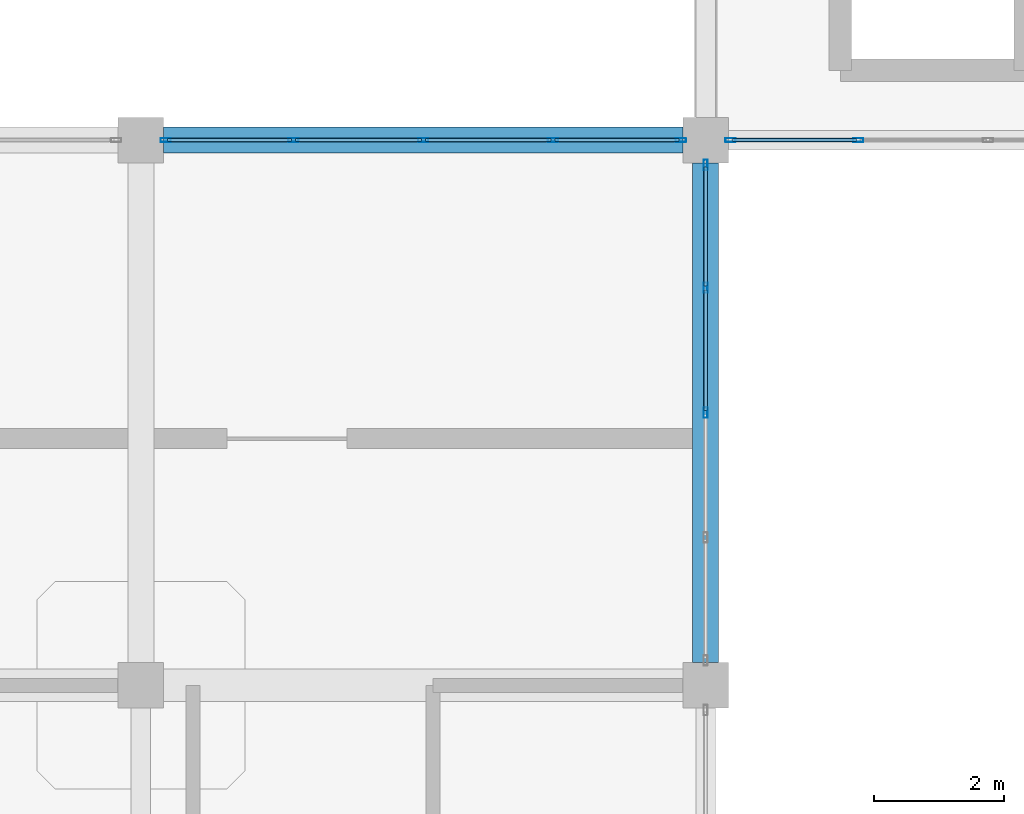
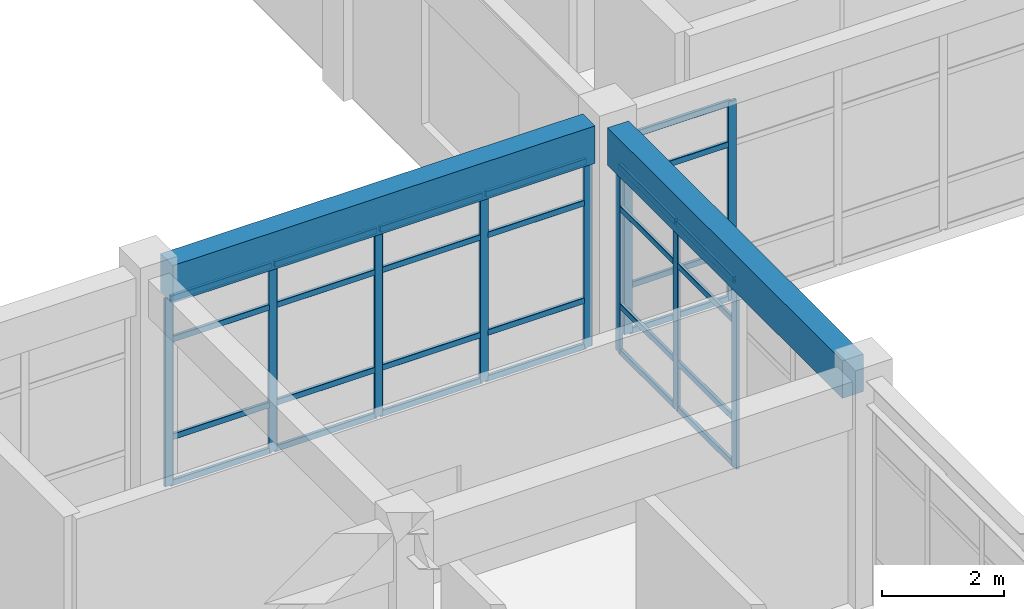
# One storey, part 39 of 64: 38 members, 2 beams, 3 elements without a shape of their own.
"""IFC4 building model written with IfcOpenShell, lengths in metres."""

from ifc_helpers import new_model, si_unit, derived_unit, direction, frame, origin, origin_2d, place, context, subcontext, project, spatial, rectangle, hollow_rectangle, extrude, material, layer, layer_set, material_profile, profile_set, type_object, element, aggregate, save


model = new_model("IFC4")

# Units and contexts
model_context = context("Model", 3, precision=1e-05, world=origin(), true_north=direction((0.0, 1.0)))
body_context = subcontext(model_context, "Body", "Model", "MODEL_VIEW")
ifc_project = project(units=[si_unit("LENGTHUNIT", "METRE"), si_unit("AREAUNIT", "SQUARE_METRE"), si_unit("VOLUMEUNIT", "CUBIC_METRE"), si_unit("PLANEANGLEUNIT", "RADIAN"), si_unit("MASSUNIT", "GRAM", prefix="KILO"), derived_unit("THERMALTRANSMITTANCEUNIT", [(si_unit("MASSUNIT", "GRAM", prefix="KILO"), 1), (si_unit("TIMEUNIT", "SECOND"), -3), (si_unit("THERMODYNAMICTEMPERATUREUNIT", "KELVIN"), -1)])], contexts=[model_context])

# Site, building, storey
site_placement = place(None, origin())
site = spatial("IfcSite", under=ifc_project, at=site_placement, CompositionType="ELEMENT")
building_placement = place(site_placement, origin())
building = spatial("IfcBuilding", under=site, at=building_placement, Name="Qinzheling Arcade Emporium", CompositionType="ELEMENT")
storey_placement = place(building_placement, frame((0.0, 0.0, 31.5)))
storey = spatial("IfcBuildingStorey", under=building, at=storey_placement, Name="L07", CompositionType="ELEMENT", Elevation=31.5)

# Curtain wall, members
ifc_material_1 = material(Name="Anodised aluminium and solar-control double glazing", Category="aluminium")
ifc_layer_1 = layer(ifc_material_1, 0.159912109375, Name="Anodised aluminium and solar-control double glazing", Category="aluminium")
ifc_layer_set_1 = layer_set([ifc_layer_1], Name="Anodised aluminium and solar-control double glazing")
curtain_wall_type_1 = type_object("IfcCurtainWallType", Name="Atrium Clerestory Curtain Wall", PredefinedType="NOTDEFINED", material=ifc_layer_set_1)
curtain_wall_1_placement = place(storey_placement, origin())
curtain_wall_1 = element("IfcCurtainWall", 1, at=curtain_wall_1_placement, inside=storey, type_object=curtain_wall_type_1, Name="Curtain Wall CW-L07-423", PredefinedType="NOTDEFINED")
ifc_material_2 = material(Name="Anodised aluminium 6063-T6", Category="aluminium")
ifc_material_profile_1 = material_profile(ifc_material_2, hollow_rectangle(XDim=0.06005859375, YDim=0.159912109375, WallThickness=0.00390625, InnerFilletRadius=0.00390625, OuterFilletRadius=0.008056640625, at=origin_2d()), Name="RHS 160x60x4", Category="aluminium")
ifc_profile_set_1 = profile_set([ifc_material_profile_1], Name="Anodised aluminium 6063-T6")
member_type_1 = type_object("IfcMemberType", Name="Curtain Wall Mullion RHS160x60", PredefinedType="MULLION", material=ifc_profile_set_1)
member_1_placement = place(storey_placement, frame((96.08203125, 73.800048828125, 0.0), z_axis=(0.0, 0.0, 1.0), x_axis=(0.0, 1.0, 0.0)))
member_1 = element("IfcMember", 2, at=member_1_placement, type_object=member_type_1, Name="CW03 mullion 1", PredefinedType="MULLION", context=body_context, shape_type="SweptSolid", body=[
    extrude(hollow_rectangle(XDim=0.06005859375, YDim=0.159912109375, WallThickness=0.00390625, InnerFilletRadius=0.00390625, OuterFilletRadius=0.008056640625, at=origin_2d()), origin(), (0.0, 0.0, 1.0), 3.7548828125),
])
member_2_placement = place(storey_placement, frame((98.051025390625, 73.800048828125, 0.0), z_axis=(0.0, 0.0, 1.0), x_axis=(0.0, 1.0, 0.0)))
member_2 = element("IfcMember", 3, at=member_2_placement, type_object=member_type_1, Name="CW03 mullion 2", PredefinedType="MULLION", context=body_context, shape_type="SweptSolid", body=[
    extrude(hollow_rectangle(XDim=0.06005859375, YDim=0.159912109375, WallThickness=0.00390625, InnerFilletRadius=0.00390625, OuterFilletRadius=0.008056640625, at=origin_2d()), origin(), (0.0, 0.0, 1.0), 3.7548828125),
])
member_3_placement = place(storey_placement, frame((100.050048828125, 73.800048828125, 0.0), z_axis=(0.0, 0.0, 1.0), x_axis=(0.0, 1.0, 0.0)))
member_3 = element("IfcMember", 4, at=member_3_placement, type_object=member_type_1, Name="CW03 mullion 3", PredefinedType="MULLION", context=body_context, shape_type="SweptSolid", body=[
    extrude(hollow_rectangle(XDim=0.06005859375, YDim=0.159912109375, WallThickness=0.00390625, InnerFilletRadius=0.00390625, OuterFilletRadius=0.008056640625, at=origin_2d()), origin(), (0.0, 0.0, 1.0), 3.7548828125),
])
member_4_placement = place(storey_placement, frame((102.049072265625, 73.800048828125, 0.0), z_axis=(0.0, 0.0, 1.0), x_axis=(0.0, 1.0, 0.0)))
member_4 = element("IfcMember", 5, at=member_4_placement, type_object=member_type_1, Name="CW03 mullion 4", PredefinedType="MULLION", context=body_context, shape_type="SweptSolid", body=[
    extrude(hollow_rectangle(XDim=0.06005859375, YDim=0.159912109375, WallThickness=0.00390625, InnerFilletRadius=0.00390625, OuterFilletRadius=0.008056640625, at=origin_2d()), origin(), (0.0, 0.0, 1.0), 3.7548828125),
])
member_5_placement = place(storey_placement, frame((104.01806640625, 73.800048828125, 0.0), z_axis=(0.0, 0.0, 1.0), x_axis=(0.0, 1.0, 0.0)))
member_5 = element("IfcMember", 6, at=member_5_placement, type_object=member_type_1, Name="CW03 mullion 5", PredefinedType="MULLION", context=body_context, shape_type="SweptSolid", body=[
    extrude(hollow_rectangle(XDim=0.06005859375, YDim=0.159912109375, WallThickness=0.00390625, InnerFilletRadius=0.00390625, OuterFilletRadius=0.008056640625, at=origin_2d()), origin(), (0.0, 0.0, 1.0), 3.7548828125),
])

curtain_wall_2_placement = place(storey_placement, origin())
curtain_wall_2 = element("IfcCurtainWall", 7, at=curtain_wall_2_placement, inside=storey, type_object=curtain_wall_type_1, Name="Curtain Wall CW-L07-424", PredefinedType="NOTDEFINED")
member_6_placement = place(storey_placement, frame((104.39990234375, 73.41796875, 0.0), z_axis=(0.0, 0.0, 1.0), x_axis=(1.0, 0.0, 0.0)))
member_6 = element("IfcMember", 8, at=member_6_placement, type_object=member_type_1, Name="CW03 mullion 1", PredefinedType="MULLION", context=body_context, shape_type="SweptSolid", body=[
    extrude(hollow_rectangle(XDim=0.06005859375, YDim=0.159912109375, WallThickness=0.00390625, InnerFilletRadius=0.00390625, OuterFilletRadius=0.008056640625, at=origin_2d()), origin(), (0.0, 0.0, 1.0), 3.7548828125),
])
member_7_placement = place(storey_placement, frame((104.39990234375, 71.52392578125, 0.0), z_axis=(0.0, 0.0, 1.0), x_axis=(1.0, 0.0, 0.0)))
member_7 = element("IfcMember", 9, at=member_7_placement, type_object=member_type_1, Name="CW03 mullion 2", PredefinedType="MULLION", context=body_context, shape_type="SweptSolid", body=[
    extrude(hollow_rectangle(XDim=0.06005859375, YDim=0.159912109375, WallThickness=0.00390625, InnerFilletRadius=0.00390625, OuterFilletRadius=0.008056640625, at=origin_2d()), origin(), (0.0, 0.0, 1.0), 3.7548828125),
])
member_8_placement = place(storey_placement, frame((104.39990234375, 69.60009765625, 0.0), z_axis=(0.0, 0.0, 1.0), x_axis=(1.0, 0.0, 0.0)))
member_8 = element("IfcMember", 10, at=member_8_placement, type_object=member_type_1, Name="CW03 mullion 3", PredefinedType="MULLION", context=body_context, shape_type="SweptSolid", body=[
    extrude(hollow_rectangle(XDim=0.06005859375, YDim=0.159912109375, WallThickness=0.00390625, InnerFilletRadius=0.00390625, OuterFilletRadius=0.008056640625, at=origin_2d()), origin(), (0.0, 0.0, 1.0), 3.7548828125),
])

ifc_layer_2 = layer(ifc_material_1, 0.159912109375, Name="Anodised aluminium and solar-control double glazing", Category="aluminium")
ifc_layer_set_2 = layer_set([ifc_layer_2], Name="Anodised aluminium and solar-control double glazing")
curtain_wall_type_2 = type_object("IfcCurtainWallType", Name="Arcade Portal Glazed Curtain Wall", PredefinedType="NOTDEFINED", material=ifc_layer_set_2)
curtain_wall_3_placement = place(storey_placement, origin())
curtain_wall_3 = element("IfcCurtainWall", 11, at=curtain_wall_3_placement, inside=storey, type_object=curtain_wall_type_2, Name="Curtain Wall CW-L07-442", PredefinedType="NOTDEFINED")
member_9_placement = place(storey_placement, frame((106.7509765625, 73.800048828125, 0.0), z_axis=(0.0, 0.0, 1.0), x_axis=(0.0, -1.0, 0.0)))
member_9 = element("IfcMember", 12, at=member_9_placement, type_object=member_type_1, Name="CW05 mullion 4", PredefinedType="MULLION", context=body_context, shape_type="SweptSolid", body=[
    extrude(hollow_rectangle(XDim=0.06005859375, YDim=0.159912109375, WallThickness=0.00390625, InnerFilletRadius=0.00390625, OuterFilletRadius=0.008056640625, at=origin_2d()), origin(), (0.0, 0.0, 1.0), 3.969970703125),
])
member_10_placement = place(storey_placement, frame((104.781982421875, 73.800048828125, 0.0), z_axis=(0.0, 0.0, 1.0), x_axis=(0.0, -1.0, 0.0)))
member_10 = element("IfcMember", 13, at=member_10_placement, type_object=member_type_1, Name="CW05 mullion 5", PredefinedType="MULLION", context=body_context, shape_type="SweptSolid", body=[
    extrude(hollow_rectangle(XDim=0.06005859375, YDim=0.159912109375, WallThickness=0.00390625, InnerFilletRadius=0.00390625, OuterFilletRadius=0.008056640625, at=origin_2d()), origin(), (0.0, 0.0, 1.0), 3.969970703125),
])

# Member
ifc_material_profile_2 = material_profile(ifc_material_2, hollow_rectangle(XDim=0.06005859375, YDim=0.1201171875, WallThickness=0.00390625, InnerFilletRadius=0.00390625, OuterFilletRadius=0.008056640625, at=origin_2d()), Name="RHS 120x60x4", Category="aluminium")
ifc_profile_set_2 = profile_set([ifc_material_profile_2], Name="Anodised aluminium 6063-T6")
member_type_2 = type_object("IfcMemberType", Name="Curtain Wall Transom RHS120x60", PredefinedType="USERDEFINED", material=ifc_profile_set_2)
member_11_placement = place(storey_placement, frame((96.112060546875, 73.800048828125, 0.030029296875), z_axis=(1.0, 0.0, 0.0), x_axis=(0.0, 1.0, 0.0)))
member_11 = element("IfcMember", 14, at=member_11_placement, type_object=member_type_2, Name="CW03 transom 1.1", ObjectType="TRANSOM", PredefinedType="USERDEFINED", context=body_context, shape_type="SweptSolid", body=[
    extrude(hollow_rectangle(XDim=0.06005859375, YDim=0.1201171875, WallThickness=0.00390625, InnerFilletRadius=0.00390625, OuterFilletRadius=0.008056640625, at=origin_2d()), origin(), (0.0, 0.0, 1.0), 1.908935546875),
])

member_12_placement = place(storey_placement, frame((96.112060546875, 73.800048828125, 0.949951171875), z_axis=(1.0, 0.0, 0.0), x_axis=(0.0, 1.0, 0.0)))
member_12 = element("IfcMember", 15, at=member_12_placement, type_object=member_type_2, Name="CW03 transom 1.2", ObjectType="TRANSOM", PredefinedType="USERDEFINED", context=body_context, shape_type="SweptSolid", body=[
    extrude(hollow_rectangle(XDim=0.06005859375, YDim=0.1201171875, WallThickness=0.00390625, InnerFilletRadius=0.00390625, OuterFilletRadius=0.008056640625, at=origin_2d()), origin(), (0.0, 0.0, 1.0), 1.908935546875),
])

member_13_placement = place(storey_placement, frame((96.112060546875, 73.800048828125, 2.905029296875), z_axis=(1.0, 0.0, 0.0), x_axis=(0.0, 1.0, 0.0)))
member_13 = element("IfcMember", 16, at=member_13_placement, type_object=member_type_2, Name="CW03 transom 1.3", ObjectType="TRANSOM", PredefinedType="USERDEFINED", context=body_context, shape_type="SweptSolid", body=[
    extrude(hollow_rectangle(XDim=0.06005859375, YDim=0.1201171875, WallThickness=0.00390625, InnerFilletRadius=0.00390625, OuterFilletRadius=0.008056640625, at=origin_2d()), origin(), (0.0, 0.0, 1.0), 1.908935546875),
])

member_14_placement = place(storey_placement, frame((96.112060546875, 73.800048828125, 3.72509765625), z_axis=(1.0, 0.0, 0.0), x_axis=(0.0, 1.0, 0.0)))
member_14 = element("IfcMember", 17, at=member_14_placement, type_object=member_type_2, Name="CW03 transom 1.4", ObjectType="TRANSOM", PredefinedType="USERDEFINED", context=body_context, shape_type="SweptSolid", body=[
    extrude(hollow_rectangle(XDim=0.06005859375, YDim=0.1201171875, WallThickness=0.00390625, InnerFilletRadius=0.00390625, OuterFilletRadius=0.008056640625, at=origin_2d()), origin(), (0.0, 0.0, 1.0), 1.908935546875),
])

member_15_placement = place(storey_placement, frame((98.0810546875, 73.800048828125, 0.030029296875), z_axis=(1.0, 0.0, 0.0), x_axis=(0.0, 1.0, 0.0)))
member_15 = element("IfcMember", 18, at=member_15_placement, type_object=member_type_2, Name="CW03 transom 2.1", ObjectType="TRANSOM", PredefinedType="USERDEFINED", context=body_context, shape_type="SweptSolid", body=[
    extrude(hollow_rectangle(XDim=0.06005859375, YDim=0.1201171875, WallThickness=0.00390625, InnerFilletRadius=0.00390625, OuterFilletRadius=0.008056640625, at=origin_2d()), origin(), (0.0, 0.0, 1.0), 1.93896484375),
])

member_16_placement = place(storey_placement, frame((98.0810546875, 73.800048828125, 0.949951171875), z_axis=(1.0, 0.0, 0.0), x_axis=(0.0, 1.0, 0.0)))
member_16 = element("IfcMember", 19, at=member_16_placement, type_object=member_type_2, Name="CW03 transom 2.2", ObjectType="TRANSOM", PredefinedType="USERDEFINED", context=body_context, shape_type="SweptSolid", body=[
    extrude(hollow_rectangle(XDim=0.06005859375, YDim=0.1201171875, WallThickness=0.00390625, InnerFilletRadius=0.00390625, OuterFilletRadius=0.008056640625, at=origin_2d()), origin(), (0.0, 0.0, 1.0), 1.93896484375),
])

member_17_placement = place(storey_placement, frame((98.0810546875, 73.800048828125, 2.905029296875), z_axis=(1.0, 0.0, 0.0), x_axis=(0.0, 1.0, 0.0)))
member_17 = element("IfcMember", 20, at=member_17_placement, type_object=member_type_2, Name="CW03 transom 2.3", ObjectType="TRANSOM", PredefinedType="USERDEFINED", context=body_context, shape_type="SweptSolid", body=[
    extrude(hollow_rectangle(XDim=0.06005859375, YDim=0.1201171875, WallThickness=0.00390625, InnerFilletRadius=0.00390625, OuterFilletRadius=0.008056640625, at=origin_2d()), origin(), (0.0, 0.0, 1.0), 1.93896484375),
])

member_18_placement = place(storey_placement, frame((98.0810546875, 73.800048828125, 3.72509765625), z_axis=(1.0, 0.0, 0.0), x_axis=(0.0, 1.0, 0.0)))
member_18 = element("IfcMember", 21, at=member_18_placement, type_object=member_type_2, Name="CW03 transom 2.4", ObjectType="TRANSOM", PredefinedType="USERDEFINED", context=body_context, shape_type="SweptSolid", body=[
    extrude(hollow_rectangle(XDim=0.06005859375, YDim=0.1201171875, WallThickness=0.00390625, InnerFilletRadius=0.00390625, OuterFilletRadius=0.008056640625, at=origin_2d()), origin(), (0.0, 0.0, 1.0), 1.93896484375),
])

member_19_placement = place(storey_placement, frame((100.080078125, 73.800048828125, 0.030029296875), z_axis=(1.0, 0.0, 0.0), x_axis=(0.0, 1.0, 0.0)))
member_19 = element("IfcMember", 22, at=member_19_placement, type_object=member_type_2, Name="CW03 transom 3.1", ObjectType="TRANSOM", PredefinedType="USERDEFINED", context=body_context, shape_type="SweptSolid", body=[
    extrude(hollow_rectangle(XDim=0.06005859375, YDim=0.1201171875, WallThickness=0.00390625, InnerFilletRadius=0.00390625, OuterFilletRadius=0.008056640625, at=origin_2d()), origin(), (0.0, 0.0, 1.0), 1.93896484375),
])

member_20_placement = place(storey_placement, frame((100.080078125, 73.800048828125, 0.949951171875), z_axis=(1.0, 0.0, 0.0), x_axis=(0.0, 1.0, 0.0)))
member_20 = element("IfcMember", 23, at=member_20_placement, type_object=member_type_2, Name="CW03 transom 3.2", ObjectType="TRANSOM", PredefinedType="USERDEFINED", context=body_context, shape_type="SweptSolid", body=[
    extrude(hollow_rectangle(XDim=0.06005859375, YDim=0.1201171875, WallThickness=0.00390625, InnerFilletRadius=0.00390625, OuterFilletRadius=0.008056640625, at=origin_2d()), origin(), (0.0, 0.0, 1.0), 1.93896484375),
])

member_21_placement = place(storey_placement, frame((100.080078125, 73.800048828125, 2.905029296875), z_axis=(1.0, 0.0, 0.0), x_axis=(0.0, 1.0, 0.0)))
member_21 = element("IfcMember", 24, at=member_21_placement, type_object=member_type_2, Name="CW03 transom 3.3", ObjectType="TRANSOM", PredefinedType="USERDEFINED", context=body_context, shape_type="SweptSolid", body=[
    extrude(hollow_rectangle(XDim=0.06005859375, YDim=0.1201171875, WallThickness=0.00390625, InnerFilletRadius=0.00390625, OuterFilletRadius=0.008056640625, at=origin_2d()), origin(), (0.0, 0.0, 1.0), 1.93896484375),
])

member_22_placement = place(storey_placement, frame((100.080078125, 73.800048828125, 3.72509765625), z_axis=(1.0, 0.0, 0.0), x_axis=(0.0, 1.0, 0.0)))
member_22 = element("IfcMember", 25, at=member_22_placement, type_object=member_type_2, Name="CW03 transom 3.4", ObjectType="TRANSOM", PredefinedType="USERDEFINED", context=body_context, shape_type="SweptSolid", body=[
    extrude(hollow_rectangle(XDim=0.06005859375, YDim=0.1201171875, WallThickness=0.00390625, InnerFilletRadius=0.00390625, OuterFilletRadius=0.008056640625, at=origin_2d()), origin(), (0.0, 0.0, 1.0), 1.93896484375),
])

member_23_placement = place(storey_placement, frame((102.0791015625, 73.800048828125, 0.030029296875), z_axis=(1.0, 0.0, 0.0), x_axis=(0.0, 1.0, 0.0)))
member_23 = element("IfcMember", 26, at=member_23_placement, type_object=member_type_2, Name="CW03 transom 4.1", ObjectType="TRANSOM", PredefinedType="USERDEFINED", context=body_context, shape_type="SweptSolid", body=[
    extrude(hollow_rectangle(XDim=0.06005859375, YDim=0.1201171875, WallThickness=0.00390625, InnerFilletRadius=0.00390625, OuterFilletRadius=0.008056640625, at=origin_2d()), origin(), (0.0, 0.0, 1.0), 1.908935546875),
])

member_24_placement = place(storey_placement, frame((102.0791015625, 73.800048828125, 0.949951171875), z_axis=(1.0, 0.0, 0.0), x_axis=(0.0, 1.0, 0.0)))
member_24 = element("IfcMember", 27, at=member_24_placement, type_object=member_type_2, Name="CW03 transom 4.2", ObjectType="TRANSOM", PredefinedType="USERDEFINED", context=body_context, shape_type="SweptSolid", body=[
    extrude(hollow_rectangle(XDim=0.06005859375, YDim=0.1201171875, WallThickness=0.00390625, InnerFilletRadius=0.00390625, OuterFilletRadius=0.008056640625, at=origin_2d()), origin(), (0.0, 0.0, 1.0), 1.908935546875),
])

member_25_placement = place(storey_placement, frame((102.0791015625, 73.800048828125, 2.905029296875), z_axis=(1.0, 0.0, 0.0), x_axis=(0.0, 1.0, 0.0)))
member_25 = element("IfcMember", 28, at=member_25_placement, type_object=member_type_2, Name="CW03 transom 4.3", ObjectType="TRANSOM", PredefinedType="USERDEFINED", context=body_context, shape_type="SweptSolid", body=[
    extrude(hollow_rectangle(XDim=0.06005859375, YDim=0.1201171875, WallThickness=0.00390625, InnerFilletRadius=0.00390625, OuterFilletRadius=0.008056640625, at=origin_2d()), origin(), (0.0, 0.0, 1.0), 1.908935546875),
])

member_26_placement = place(storey_placement, frame((102.0791015625, 73.800048828125, 3.72509765625), z_axis=(1.0, 0.0, 0.0), x_axis=(0.0, 1.0, 0.0)))
member_26 = element("IfcMember", 29, at=member_26_placement, type_object=member_type_2, Name="CW03 transom 4.4", ObjectType="TRANSOM", PredefinedType="USERDEFINED", context=body_context, shape_type="SweptSolid", body=[
    extrude(hollow_rectangle(XDim=0.06005859375, YDim=0.1201171875, WallThickness=0.00390625, InnerFilletRadius=0.00390625, OuterFilletRadius=0.008056640625, at=origin_2d()), origin(), (0.0, 0.0, 1.0), 1.908935546875),
])

aggregate(curtain_wall_1, [member_1, member_2, member_3, member_4, member_5, member_11, member_12, member_13, member_14, member_15, member_16, member_17, member_18, member_19, member_20, member_21, member_22, member_23, member_24, member_25, member_26])

member_27_placement = place(storey_placement, frame((104.39990234375, 73.387939453125, 0.030029296875), z_axis=(0.0, -1.0, 0.0), x_axis=(1.0, 0.0, 0.0)))
member_27 = element("IfcMember", 30, at=member_27_placement, type_object=member_type_2, Name="CW03 transom 1.1", ObjectType="TRANSOM", PredefinedType="USERDEFINED", context=body_context, shape_type="SweptSolid", body=[
    extrude(hollow_rectangle(XDim=0.06005859375, YDim=0.1201171875, WallThickness=0.00390625, InnerFilletRadius=0.00390625, OuterFilletRadius=0.008056640625, at=origin_2d()), origin(), (0.0, 0.0, 1.0), 1.833984375),
])

member_28_placement = place(storey_placement, frame((104.39990234375, 73.387939453125, 0.949951171875), z_axis=(0.0, -1.0, 0.0), x_axis=(1.0, 0.0, 0.0)))
member_28 = element("IfcMember", 31, at=member_28_placement, type_object=member_type_2, Name="CW03 transom 1.2", ObjectType="TRANSOM", PredefinedType="USERDEFINED", context=body_context, shape_type="SweptSolid", body=[
    extrude(hollow_rectangle(XDim=0.06005859375, YDim=0.1201171875, WallThickness=0.00390625, InnerFilletRadius=0.00390625, OuterFilletRadius=0.008056640625, at=origin_2d()), origin(), (0.0, 0.0, 1.0), 1.833984375),
])

member_29_placement = place(storey_placement, frame((104.39990234375, 73.387939453125, 2.905029296875), z_axis=(0.0, -1.0, 0.0), x_axis=(1.0, 0.0, 0.0)))
member_29 = element("IfcMember", 32, at=member_29_placement, type_object=member_type_2, Name="CW03 transom 1.3", ObjectType="TRANSOM", PredefinedType="USERDEFINED", context=body_context, shape_type="SweptSolid", body=[
    extrude(hollow_rectangle(XDim=0.06005859375, YDim=0.1201171875, WallThickness=0.00390625, InnerFilletRadius=0.00390625, OuterFilletRadius=0.008056640625, at=origin_2d()), origin(), (0.0, 0.0, 1.0), 1.833984375),
])

member_30_placement = place(storey_placement, frame((104.39990234375, 73.387939453125, 3.72509765625), z_axis=(0.0, -1.0, 0.0), x_axis=(1.0, 0.0, 0.0)))
member_30 = element("IfcMember", 33, at=member_30_placement, type_object=member_type_2, Name="CW03 transom 1.4", ObjectType="TRANSOM", PredefinedType="USERDEFINED", context=body_context, shape_type="SweptSolid", body=[
    extrude(hollow_rectangle(XDim=0.06005859375, YDim=0.1201171875, WallThickness=0.00390625, InnerFilletRadius=0.00390625, OuterFilletRadius=0.008056640625, at=origin_2d()), origin(), (0.0, 0.0, 1.0), 1.833984375),
])

member_31_placement = place(storey_placement, frame((104.39990234375, 71.493896484375, 0.030029296875), z_axis=(0.0, -1.0, 0.0), x_axis=(1.0, 0.0, 0.0)))
member_31 = element("IfcMember", 34, at=member_31_placement, type_object=member_type_2, Name="CW03 transom 2.1", ObjectType="TRANSOM", PredefinedType="USERDEFINED", context=body_context, shape_type="SweptSolid", body=[
    extrude(hollow_rectangle(XDim=0.06005859375, YDim=0.1201171875, WallThickness=0.00390625, InnerFilletRadius=0.00390625, OuterFilletRadius=0.008056640625, at=origin_2d()), origin(), (0.0, 0.0, 1.0), 1.864013671875),
])

member_32_placement = place(storey_placement, frame((104.39990234375, 71.493896484375, 0.949951171875), z_axis=(0.0, -1.0, 0.0), x_axis=(1.0, 0.0, 0.0)))
member_32 = element("IfcMember", 35, at=member_32_placement, type_object=member_type_2, Name="CW03 transom 2.2", ObjectType="TRANSOM", PredefinedType="USERDEFINED", context=body_context, shape_type="SweptSolid", body=[
    extrude(hollow_rectangle(XDim=0.06005859375, YDim=0.1201171875, WallThickness=0.00390625, InnerFilletRadius=0.00390625, OuterFilletRadius=0.008056640625, at=origin_2d()), origin(), (0.0, 0.0, 1.0), 1.864013671875),
])

member_33_placement = place(storey_placement, frame((104.39990234375, 71.493896484375, 2.905029296875), z_axis=(0.0, -1.0, 0.0), x_axis=(1.0, 0.0, 0.0)))
member_33 = element("IfcMember", 36, at=member_33_placement, type_object=member_type_2, Name="CW03 transom 2.3", ObjectType="TRANSOM", PredefinedType="USERDEFINED", context=body_context, shape_type="SweptSolid", body=[
    extrude(hollow_rectangle(XDim=0.06005859375, YDim=0.1201171875, WallThickness=0.00390625, InnerFilletRadius=0.00390625, OuterFilletRadius=0.008056640625, at=origin_2d()), origin(), (0.0, 0.0, 1.0), 1.864013671875),
])

member_34_placement = place(storey_placement, frame((104.39990234375, 71.493896484375, 3.72509765625), z_axis=(0.0, -1.0, 0.0), x_axis=(1.0, 0.0, 0.0)))
member_34 = element("IfcMember", 37, at=member_34_placement, type_object=member_type_2, Name="CW03 transom 2.4", ObjectType="TRANSOM", PredefinedType="USERDEFINED", context=body_context, shape_type="SweptSolid", body=[
    extrude(hollow_rectangle(XDim=0.06005859375, YDim=0.1201171875, WallThickness=0.00390625, InnerFilletRadius=0.00390625, OuterFilletRadius=0.008056640625, at=origin_2d()), origin(), (0.0, 0.0, 1.0), 1.864013671875),
])

aggregate(curtain_wall_2, [member_6, member_7, member_8, member_27, member_28, member_29, member_30, member_31, member_32, member_33, member_34])

member_35_placement = place(storey_placement, frame((106.720947265625, 73.800048828125, 0.030029296875), z_axis=(-1.0, 0.0, 0.0), x_axis=(0.0, -1.0, 0.0)))
member_35 = element("IfcMember", 38, at=member_35_placement, type_object=member_type_2, Name="CW05 transom 4.1", ObjectType="TRANSOM", PredefinedType="USERDEFINED", context=body_context, shape_type="SweptSolid", body=[
    extrude(hollow_rectangle(XDim=0.06005859375, YDim=0.1201171875, WallThickness=0.00390625, InnerFilletRadius=0.00390625, OuterFilletRadius=0.008056640625, at=origin_2d()), origin(), (0.0, 0.0, 1.0), 1.908935546875),
])

member_36_placement = place(storey_placement, frame((106.720947265625, 73.800048828125, 0.949951171875), z_axis=(-1.0, 0.0, 0.0), x_axis=(0.0, -1.0, 0.0)))
member_36 = element("IfcMember", 39, at=member_36_placement, type_object=member_type_2, Name="CW05 transom 4.2", ObjectType="TRANSOM", PredefinedType="USERDEFINED", context=body_context, shape_type="SweptSolid", body=[
    extrude(hollow_rectangle(XDim=0.06005859375, YDim=0.1201171875, WallThickness=0.00390625, InnerFilletRadius=0.00390625, OuterFilletRadius=0.008056640625, at=origin_2d()), origin(), (0.0, 0.0, 1.0), 1.908935546875),
])

member_37_placement = place(storey_placement, frame((106.720947265625, 73.800048828125, 3.1201171875), z_axis=(-1.0, 0.0, 0.0), x_axis=(0.0, -1.0, 0.0)))
member_37 = element("IfcMember", 40, at=member_37_placement, type_object=member_type_2, Name="CW05 transom 4.3", ObjectType="TRANSOM", PredefinedType="USERDEFINED", context=body_context, shape_type="SweptSolid", body=[
    extrude(hollow_rectangle(XDim=0.06005859375, YDim=0.1201171875, WallThickness=0.00390625, InnerFilletRadius=0.00390625, OuterFilletRadius=0.008056640625, at=origin_2d()), origin(), (0.0, 0.0, 1.0), 1.908935546875),
])

member_38_placement = place(storey_placement, frame((106.720947265625, 73.800048828125, 3.93994140625), z_axis=(-1.0, 0.0, 0.0), x_axis=(0.0, -1.0, 0.0)))
member_38 = element("IfcMember", 41, at=member_38_placement, type_object=member_type_2, Name="CW05 transom 4.4", ObjectType="TRANSOM", PredefinedType="USERDEFINED", context=body_context, shape_type="SweptSolid", body=[
    extrude(hollow_rectangle(XDim=0.06005859375, YDim=0.1201171875, WallThickness=0.00390625, InnerFilletRadius=0.00390625, OuterFilletRadius=0.008056640625, at=origin_2d()), origin(), (0.0, 0.0, 1.0), 1.908935546875),
])

aggregate(curtain_wall_3, [member_9, member_10, member_35, member_36, member_37, member_38])

# Beams
ifc_material_3 = material(Name="Concrete C40", Category="concrete")
ifc_material_profile_3 = material_profile(ifc_material_3, rectangle(XDim=0.39990234375, YDim=0.75, at=origin_2d()), Name="RC 400x750", Category="concrete")
ifc_profile_set_3 = profile_set([ifc_material_profile_3], Name="Concrete C40")
beam_type = type_object("IfcBeamType", Name="RC Interior Tie Beam 400x750 C40", PredefinedType="BEAM", material=ifc_profile_set_3)
beam_1_placement = place(storey_placement, frame((96.050048828125, 73.800048828125, 4.14501953125), z_axis=(1.0, 0.0, 0.0), x_axis=(0.0, 1.0, 0.0)))
element("IfcBeam", 42, at=beam_1_placement, inside=storey, type_object=beam_type, Name="Beam BM-L07-X-J-12", PredefinedType="BEAM", context=body_context, shape_type="SweptSolid", body=[
    extrude(rectangle(XDim=0.39990234375, YDim=0.75, at=origin_2d()), origin(), (0.0, 0.0, 1.0), 8.0),
])
beam_2_placement = place(storey_placement, frame((104.39990234375, 65.75, 4.14501953125), z_axis=(0.0, 1.0, 0.0), x_axis=(-1.0, 0.0, 0.0)))
element("IfcBeam", 43, at=beam_2_placement, inside=storey, type_object=beam_type, Name="Beam BM-L07-Y-13-H", PredefinedType="BEAM", context=body_context, shape_type="SweptSolid", body=[
    extrude(rectangle(XDim=0.39990234375, YDim=0.75, at=origin_2d()), origin(), (0.0, 0.0, 1.0), 7.699951171875),
])

save(model, "model.ifc")
